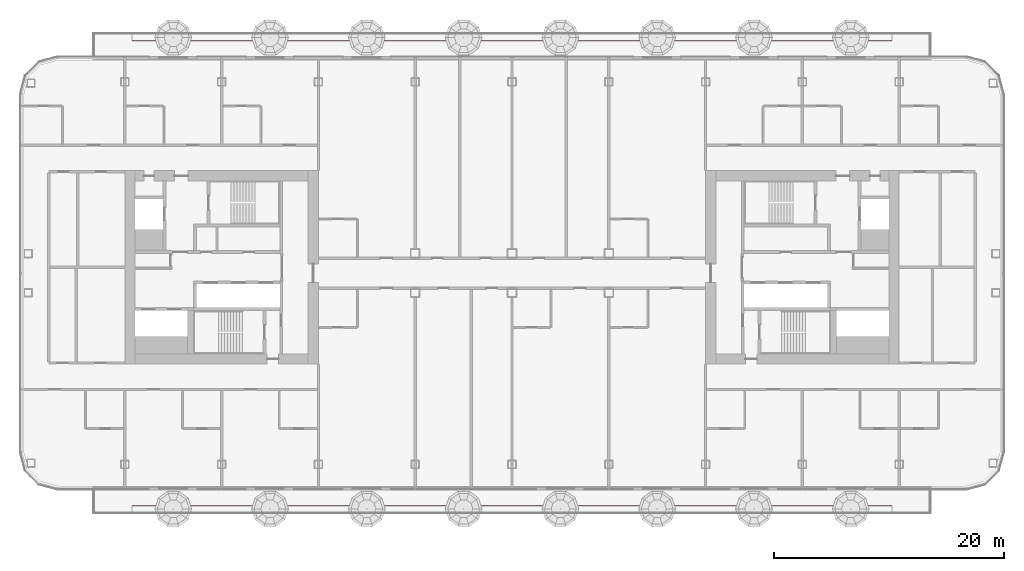
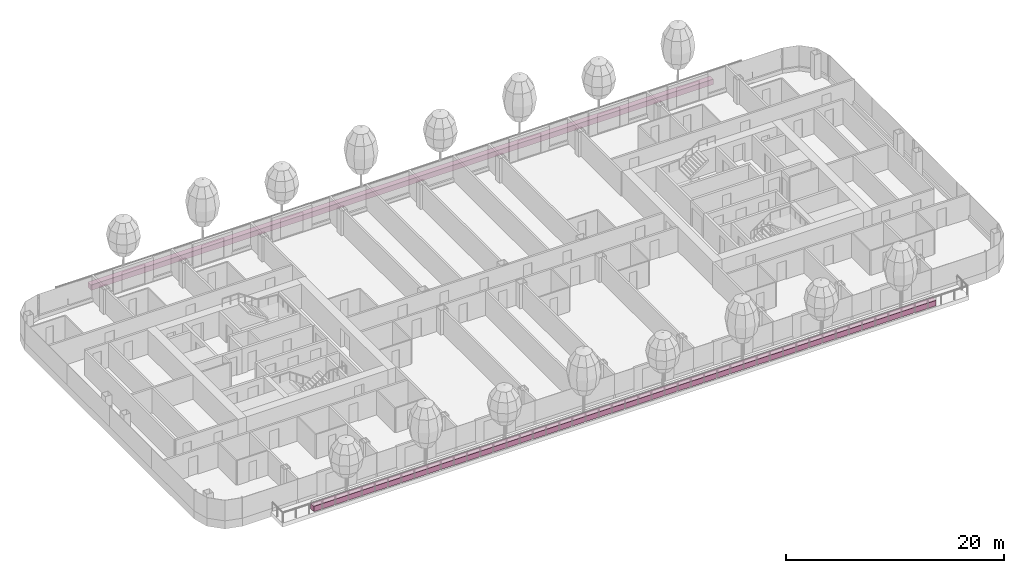
# One storey, part 25 of 29: 2 furniture elements.
"""IFC4 building model written with IfcOpenShell, lengths in metres."""

from ifc_helpers import new_model, si_unit, direction, frame, origin, origin_2d, place, context, subcontext, project, spatial, rectangle, extrude, material, type_object, element, save


model = new_model("IFC4")

# Units and contexts
model_context = context("Model", 3, precision=1e-05, world=origin(), true_north=direction((0.0, 1.0)))
body_context = subcontext(model_context, "Body", "Model", "MODEL_VIEW")
ifc_project = project(units=[si_unit("LENGTHUNIT", "METRE"), si_unit("AREAUNIT", "SQUARE_METRE"), si_unit("VOLUMEUNIT", "CUBIC_METRE"), si_unit("PLANEANGLEUNIT", "RADIAN"), si_unit("MASSUNIT", "GRAM", prefix="KILO")], contexts=[model_context])

# Site, building, storey
site_placement = place(None, origin())
site = spatial("IfcSite", under=ifc_project, at=site_placement, CompositionType="ELEMENT")
building_placement = place(site_placement, origin())
building = spatial("IfcBuilding", under=site, at=building_placement, Name="Hakoniwa Tower and Hamabe Station Hall", CompositionType="ELEMENT")
storey_placement = place(building_placement, frame((0.0, 0.0, 163.0)))
storey = spatial("IfcBuildingStorey", under=building, at=storey_placement, Name="L46", CompositionType="ELEMENT", Elevation=163.0)

# Furniture
ifc_material = material(Name="Aluminium 6063-T5 black anodised trough with lightweight soil", Category="aluminium")
furniture_type = type_object("IfcFurnitureType", Name="Planter 600x600", AssemblyPlace="SITE", PredefinedType="USERDEFINED", material=ifc_material)
for number, where, z_axis, x_axis, name in (
    (1, (0.0, 19.949951171875, 0.0), (0.0, 0.0, 1.0), (1.0, 0.0, 0.0), "Planter 600x600"),
    (2, (0.0, -20.949951171875, 0.0), (0.0, 0.0, 1.0), (1.0, 0.0, 0.0), "Planter 600x600"),
):
    element("IfcFurniture", number, at=place(storey_placement, frame(where, z_axis=z_axis, x_axis=x_axis)), inside=storey, type_object=furniture_type, Name=name, ObjectType="PLANTER", PredefinedType="USERDEFINED", context=body_context, shape_type="SweptSolid", body=[
        extrude(rectangle(XDim=66.0, YDim=0.60009765625, at=origin_2d()), origin(), (0.0, 0.0, 1.0), 0.60009765625),
    ])

save(model, "model.ifc")
